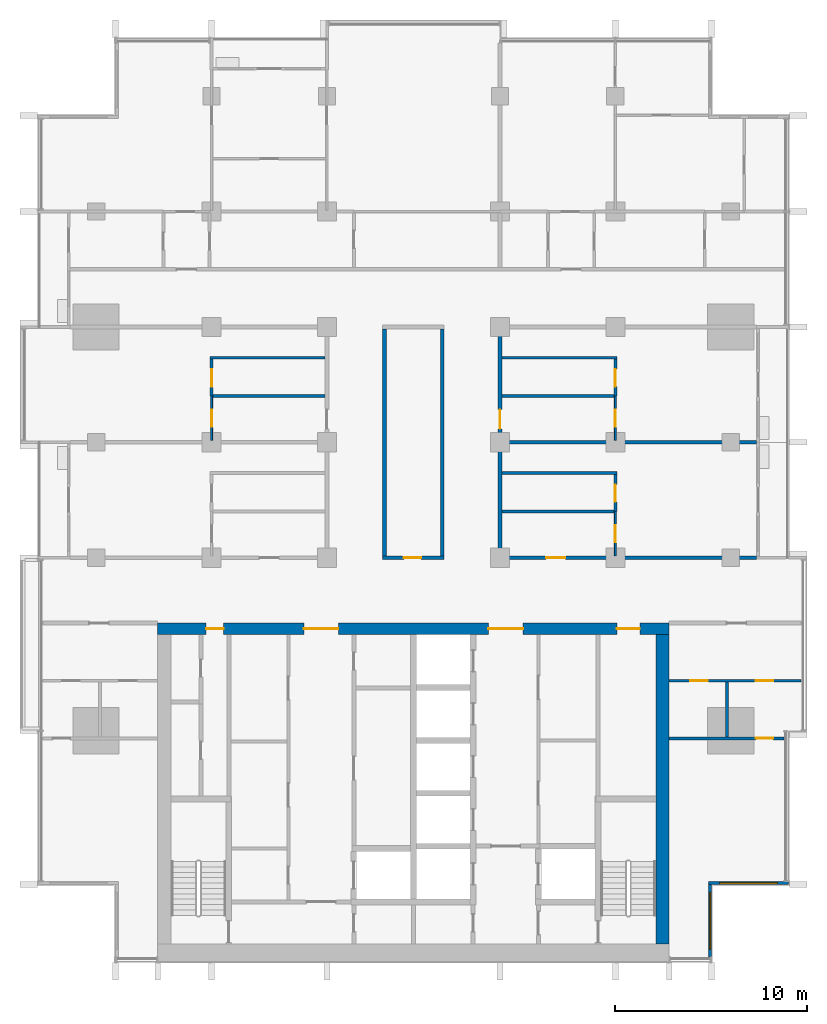
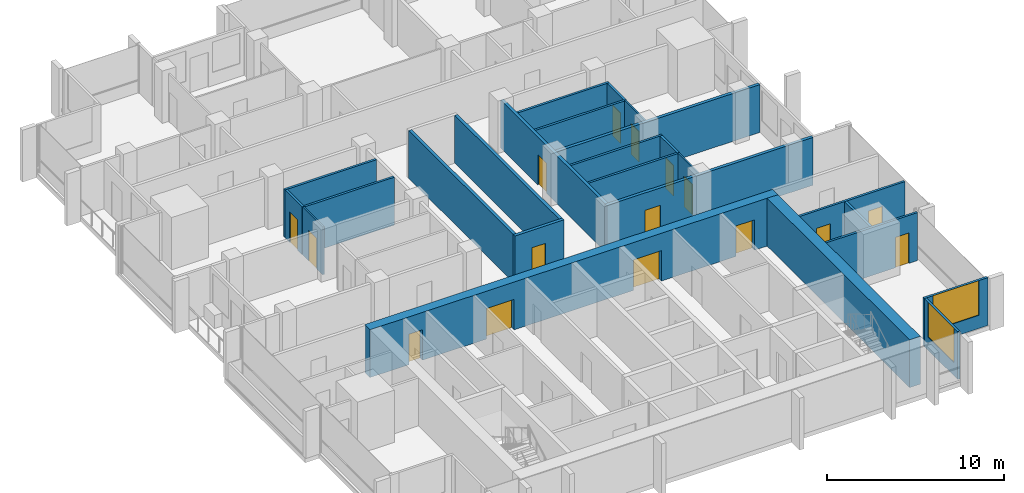
# One storey, part 9 of 17: 25 walls, 16 doors, 2 windows, 18 openings.
"""IFC4 building model written with IfcOpenShell, lengths in metres."""

from ifc_helpers import new_model, si_unit, direction, frame, frame_2d, origin, place, context, subcontext, project, spatial, rectangle, extrude, material, layer, layer_set, type_object, element, fill, save


model = new_model("IFC4")

# Units and contexts
model_context = context("Model", 3, precision=1e-05, world=origin(), true_north=direction((0.0, 1.0)))
body_context = subcontext(model_context, "Body", "Model", "MODEL_VIEW")
ifc_project = project(units=[si_unit("LENGTHUNIT", "METRE"), si_unit("AREAUNIT", "SQUARE_METRE"), si_unit("VOLUMEUNIT", "CUBIC_METRE"), si_unit("PLANEANGLEUNIT", "RADIAN"), si_unit("MASSUNIT", "GRAM", prefix="KILO")], contexts=[model_context])

# Site, building, storey
site_placement = place(None, origin())
site = spatial("IfcSite", under=ifc_project, at=site_placement, CompositionType="ELEMENT")
building_placement = place(site_placement, origin())
building = spatial("IfcBuilding", under=site, at=building_placement, Name="Finial Court Residences", CompositionType="ELEMENT")
storey_placement = place(building_placement, frame((0.0, 0.0, 167.300048828125)))
storey = spatial("IfcBuildingStorey", under=building, at=storey_placement, Name="L41", CompositionType="ELEMENT", Elevation=167.300048828125)

# Wall
ifc_material_1 = material(Name="Gypsum board")
ifc_layer_1 = layer(ifc_material_1, 0.02490234375)
ifc_material_2 = material(Name="Acoustic mineral wool in double frame")
ifc_layer_2 = layer(ifc_material_2, 0.14990234375)
ifc_layer_3 = layer(ifc_material_1, 0.02490234375)
ifc_layer_set_1 = layer_set([ifc_layer_1, ifc_layer_2, ifc_layer_3], Name="Acoustic party wall 200, 1 hour")
wall_type_1 = type_object("IfcWallType", Name="Acoustic party wall 200, 1 hour", PredefinedType="PARTITIONING", material=ifc_layer_set_1)
wall_1_placement = place(storey_placement, frame((4.60009765625, 1.5, 0.0), z_axis=(0.0, 0.0, 1.0), x_axis=(1.0, 0.0, 0.0)))
element("IfcWall", 1, at=wall_1_placement, inside=storey, type_object=wall_type_1, Name="Partition L41-014", PredefinedType="PARTITIONING", context=body_context, shape_type="SweptSolid", body=[
    extrude(rectangle(XDim=13.25, YDim=0.199951171875, at=frame_2d((6.625, 0.0))), origin(), (0.0, 0.0, 1.0), 3.300048828125),
])

# Wall, openings, doors
ifc_material_3 = material(Name="Concrete C70/85", Category="concrete")
ifc_layer_4 = layer(ifc_material_3, 0.60009765625)
ifc_layer_set_2 = layer_set([ifc_layer_4], Name="Core outer wall 600 Concrete C70/85")
wall_type_2 = type_object("IfcWallType", Name="Core outer wall 600 Concrete C70/85", PredefinedType="SHEAR", material=ifc_layer_set_2)
wall_2_placement = place(storey_placement, frame((-13.300048828125, -8.199951171875, 0.0), z_axis=(0.0, 0.0, 1.0), x_axis=(1.0, 0.0, 0.0)))
wall_2 = element("IfcWall", 2, at=wall_2_placement, inside=storey, type_object=wall_type_2, Name="Core outer wall L41-02", PredefinedType="SHEAR", context=body_context, shape_type="SweptSolid", body=[
    extrude(rectangle(XDim=26.60009765625, YDim=0.60009765625, at=frame_2d((13.300048828125, 0.0))), origin(), (0.0, 0.0, 1.0), 3.300048828125),
])
opening_1_placement = place(wall_2_placement, frame((7.60009765625, 0.0, 0.0)))
opening_1 = element("IfcOpeningElement", 3, at=opening_1_placement, cuts=wall_2, Name="Opening L41-C04", PredefinedType="OPENING", context=body_context, shape_type="SweptSolid", body=[
    extrude(rectangle(XDim=1.800048828125, YDim=2.10009765625, at=frame_2d((0.89990234375, 1.050048828125))), frame((0.0, 0.31005859375, 0.0), z_axis=(0.0, -1.0, 0.0), x_axis=(1.0, 0.0, 0.0)), (0.0, 0.0, 1.0), 0.6201171875),
])
opening_2_placement = place(wall_2_placement, frame((17.199951171875, 0.0, 0.0)))
opening_2 = element("IfcOpeningElement", 4, at=opening_2_placement, cuts=wall_2, Name="Opening L41-C05", PredefinedType="OPENING", context=body_context, shape_type="SweptSolid", body=[
    extrude(rectangle(XDim=1.800048828125, YDim=2.10009765625, at=frame_2d((0.89990234375, 1.050048828125))), frame((0.0, 0.31005859375, 0.0), z_axis=(0.0, -1.0, 0.0), x_axis=(1.0, 0.0, 0.0)), (0.0, 0.0, 1.0), 0.6201171875),
])
opening_3_placement = place(wall_2_placement, frame((2.52490234375, 0.0, 0.0)))
opening_3 = element("IfcOpeningElement", 5, at=opening_3_placement, cuts=wall_2, Name="Opening L41-C10", PredefinedType="OPENING", context=body_context, shape_type="SweptSolid", body=[
    extrude(rectangle(XDim=0.89990234375, YDim=2.10009765625, at=frame_2d((0.449951171875, 1.050048828125))), frame((0.0, 0.31005859375, 0.0), z_axis=(0.0, -1.0, 0.0), x_axis=(1.0, 0.0, 0.0)), (0.0, 0.0, 1.0), 0.6201171875),
])
opening_4_placement = place(wall_2_placement, frame((23.875, 0.0, 0.0)))
opening_4 = element("IfcOpeningElement", 6, at=opening_4_placement, cuts=wall_2, Name="Opening L41-C11", PredefinedType="OPENING", context=body_context, shape_type="SweptSolid", body=[
    extrude(rectangle(XDim=1.199951171875, YDim=2.10009765625, at=frame_2d((0.60009765625, 1.050048828125))), frame((0.0, 0.31005859375, 0.0), z_axis=(0.0, -1.0, 0.0), x_axis=(1.0, 0.0, 0.0)), (0.0, 0.0, 1.0), 0.6201171875),
])
ifc_material_4 = material(Name="Steel fire door", Category="steel")
door_type_1 = type_object("IfcDoorType", Name="Lift lobby door 1800 x 2100 EI 60", OperationType="DOUBLE_DOOR_SINGLE_SWING", PredefinedType="DOOR", material=ifc_material_4)
door_1_placement = place(opening_1_placement, origin())
door_1 = element("IfcDoor", 7, at=door_1_placement, inside=storey, type_object=door_type_1, Name="Lift lobby door L41-C04", OperationType="DOUBLE_DOOR_SINGLE_SWING", OverallHeight=2.10009765625, OverallWidth=1.800048828125, PredefinedType="DOOR", context=body_context, shape_type="SweptSolid", body=[
    extrude(rectangle(XDim=1.800048828125, YDim=2.10009765625, at=frame_2d((0.89990234375, 1.050048828125))), frame((0.0, 0.02490234375, 0.0), z_axis=(0.0, -1.0, 0.0), x_axis=(1.0, 0.0, 0.0)), (0.0, 0.0, 1.0), 0.050048828125),
])
fill(opening_1, door_1)
door_2_placement = place(opening_2_placement, origin())
door_2 = element("IfcDoor", 8, at=door_2_placement, inside=storey, type_object=door_type_1, Name="Lift lobby door L41-C05", OperationType="DOUBLE_DOOR_SINGLE_SWING", OverallHeight=2.10009765625, OverallWidth=1.800048828125, PredefinedType="DOOR", context=body_context, shape_type="SweptSolid", body=[
    extrude(rectangle(XDim=1.800048828125, YDim=2.10009765625, at=frame_2d((0.89990234375, 1.050048828125))), frame((0.0, 0.02490234375, 0.0), z_axis=(0.0, -1.0, 0.0), x_axis=(1.0, 0.0, 0.0)), (0.0, 0.0, 1.0), 0.050048828125),
])
fill(opening_2, door_2)
door_type_2 = type_object("IfcDoorType", Name="Riser room door 1200 x 2100 EI 90", OperationType="NOTDEFINED", PredefinedType="DOOR", material=ifc_material_4)
door_3_placement = place(opening_4_placement, origin())
door_3 = element("IfcDoor", 9, at=door_3_placement, inside=storey, type_object=door_type_2, Name="Riser room door L41-C11", OperationType="SINGLE_SWING_RIGHT", OverallHeight=2.10009765625, OverallWidth=1.199951171875, PredefinedType="DOOR", context=body_context, shape_type="SweptSolid", body=[
    extrude(rectangle(XDim=1.199951171875, YDim=2.10009765625, at=frame_2d((0.60009765625, 1.050048828125))), frame((0.0, 0.02490234375, 0.0), z_axis=(0.0, -1.0, 0.0), x_axis=(1.0, 0.0, 0.0)), (0.0, 0.0, 1.0), 0.050048828125),
])
fill(opening_4, door_3)
door_type_3 = type_object("IfcDoorType", Name="Riser room door 900 x 2100 EI 90", OperationType="NOTDEFINED", PredefinedType="DOOR", material=ifc_material_4)
door_4_placement = place(opening_3_placement, origin())
door_4 = element("IfcDoor", 10, at=door_4_placement, inside=storey, type_object=door_type_3, Name="Riser room door L41-C10", OperationType="SINGLE_SWING_RIGHT", OverallHeight=2.10009765625, OverallWidth=0.89990234375, PredefinedType="DOOR", context=body_context, shape_type="SweptSolid", body=[
    extrude(rectangle(XDim=0.89990234375, YDim=2.10009765625, at=frame_2d((0.449951171875, 1.050048828125))), frame((0.0, 0.02490234375, 0.0), z_axis=(0.0, -1.0, 0.0), x_axis=(1.0, 0.0, 0.0)), (0.0, 0.0, 1.0), 0.050048828125),
])
fill(opening_3, door_4)

# Wall
ifc_layer_5 = layer(ifc_material_3, 0.699951171875)
ifc_layer_set_3 = layer_set([ifc_layer_5], Name="Core outer wall 700 Concrete C70/85")
wall_type_3 = type_object("IfcWallType", Name="Core outer wall 700 Concrete C70/85", PredefinedType="SHEAR", material=ifc_layer_set_3)
wall_3_placement = place(storey_placement, frame((12.949951171875, -24.60009765625, 0.0), z_axis=(0.0, 0.0, 1.0), x_axis=(0.0, 1.0, 0.0)))
element("IfcWall", 11, at=wall_3_placement, inside=storey, type_object=wall_type_3, Name="Core outer wall L41-04", PredefinedType="SHEAR", context=body_context, shape_type="SweptSolid", body=[
    extrude(rectangle(XDim=16.10009765625, YDim=0.699951171875, at=frame_2d((8.050048828125, 0.0))), origin(), (0.0, 0.0, 1.0), 3.300048828125),
])

# Wall, opening, door
ifc_layer_6 = layer(ifc_material_1, 0.02490234375)
ifc_layer_7 = layer(ifc_material_2, 0.14990234375)
ifc_layer_8 = layer(ifc_material_1, 0.02490234375)
ifc_layer_set_4 = layer_set([ifc_layer_6, ifc_layer_7, ifc_layer_8], Name="Corridor wall 200, 1 hour")
wall_type_4 = type_object("IfcWallType", Name="Corridor wall 200, 1 hour", PredefinedType="PARTITIONING", material=ifc_layer_set_4)
wall_4_placement = place(storey_placement, frame((-1.60009765625, -4.5, 0.0), z_axis=(0.0, 0.0, 1.0), x_axis=(1.0, 0.0, 0.0)))
wall_4 = element("IfcWall", 12, at=wall_4_placement, inside=storey, type_object=wall_type_4, Name="Partition L41-007", PredefinedType="PARTITIONING", context=body_context, shape_type="SweptSolid", body=[
    extrude(rectangle(XDim=3.2001953125, YDim=0.199951171875, at=frame_2d((1.60009765625, 0.0))), origin(), (0.0, 0.0, 1.0), 3.300048828125),
])
opening_5_placement = place(wall_4_placement, frame((1.10009765625, 0.0, 0.0)))
opening_5 = element("IfcOpeningElement", 13, at=opening_5_placement, cuts=wall_4, Name="Opening L41-D010", PredefinedType="OPENING", context=body_context, shape_type="SweptSolid", body=[
    extrude(rectangle(XDim=0.89990234375, YDim=2.10009765625, at=frame_2d((0.449951171875, 1.050048828125))), frame((0.0, 0.10986328125, 0.0), z_axis=(0.0, -1.0, 0.0), x_axis=(1.0, 0.0, 0.0)), (0.0, 0.0, 1.0), 0.219970703125),
])
ifc_material_5 = material(Name="Timber door leaf in hollow metal frame", Category="wood")
door_type_4 = type_object("IfcDoorType", Name="Fire door set 900 x 2100, 30 minutes", OperationType="SINGLE_SWING_LEFT", PredefinedType="DOOR", material=ifc_material_5)
door_5_placement = place(opening_5_placement, origin())
door_5 = element("IfcDoor", 14, at=door_5_placement, inside=storey, type_object=door_type_4, Name="Door L41-D010", OperationType="SINGLE_SWING_RIGHT", OverallHeight=2.10009765625, OverallWidth=0.89990234375, PredefinedType="DOOR", context=body_context, shape_type="SweptSolid", body=[
    extrude(rectangle(XDim=0.89990234375, YDim=2.10009765625, at=frame_2d((0.449951171875, 1.050048828125))), frame((0.0, 0.02490234375, 0.0), z_axis=(0.0, -1.0, 0.0), x_axis=(1.0, 0.0, 0.0)), (0.0, 0.0, 1.0), 0.050048828125),
])
fill(opening_5, door_5)

wall_5_placement = place(storey_placement, frame((4.39990234375, -4.5, 0.0), z_axis=(0.0, 0.0, 1.0), x_axis=(1.0, 0.0, 0.0)))
wall_5 = element("IfcWall", 15, at=wall_5_placement, inside=storey, type_object=wall_type_4, Name="Partition L41-008", PredefinedType="PARTITIONING", context=body_context, shape_type="SweptSolid", body=[
    extrude(rectangle(XDim=13.4501953125, YDim=0.199951171875, at=frame_2d((6.72509765625, 0.0))), origin(), (0.0, 0.0, 1.0), 3.300048828125),
])
opening_6_placement = place(wall_5_placement, frame((2.5, 0.0, 0.0)))
opening_6 = element("IfcOpeningElement", 16, at=opening_6_placement, cuts=wall_5, Name="Opening L41-D011", PredefinedType="OPENING", context=body_context, shape_type="SweptSolid", body=[
    extrude(rectangle(XDim=1.0, YDim=2.10009765625, at=frame_2d((0.5, 1.050048828125))), frame((0.0, 0.10986328125, 0.0), z_axis=(0.0, -1.0, 0.0), x_axis=(1.0, 0.0, 0.0)), (0.0, 0.0, 1.0), 0.219970703125),
])
door_type_5 = type_object("IfcDoorType", Name="Fire door set 1000 x 2100, 30 minutes", OperationType="SINGLE_SWING_LEFT", PredefinedType="DOOR", material=ifc_material_5)
door_6_placement = place(opening_6_placement, origin())
door_6 = element("IfcDoor", 17, at=door_6_placement, inside=storey, type_object=door_type_5, Name="Door L41-D011", OperationType="SINGLE_SWING_RIGHT", OverallHeight=2.10009765625, OverallWidth=1.0, PredefinedType="DOOR", context=body_context, shape_type="SweptSolid", body=[
    extrude(rectangle(XDim=1.0, YDim=2.10009765625, at=frame_2d((0.5, 1.050048828125))), frame((0.0, 0.02490234375, 0.0), z_axis=(0.0, -1.0, 0.0), x_axis=(1.0, 0.0, 0.0)), (0.0, 0.0, 1.0), 0.050048828125),
])
fill(opening_6, door_6)

# Walls
for number, where, z_axis, x_axis, name in (
    (18, (-1.5, -4.39990234375, 0.0), (0.0, 0.0, 1.0), (0.0, 1.0, 0.0), "Partition L41-045"),
    (19, (1.5, -4.39990234375, 0.0), (0.0, 0.0, 1.0), (0.0, 1.0, 0.0), "Partition L41-046"),
):
    element("IfcWall", number, at=place(storey_placement, frame(where, z_axis=z_axis, x_axis=x_axis)), inside=storey, type_object=wall_type_4, Name=name, PredefinedType="PARTITIONING", context=body_context, shape_type="SweptSolid", body=[
        extrude(rectangle(XDim=11.7998046875, YDim=0.199951171875, at=frame_2d((5.89990234375, 0.0))), origin(), (0.0, 0.0, 1.0), 3.300048828125),
    ])

# Wall, opening, door
wall_6_placement = place(storey_placement, frame((4.5, -4.39990234375, 0.0), z_axis=(0.0, 0.0, 1.0), x_axis=(0.0, 1.0, 0.0)))
wall_6 = element("IfcWall", 20, at=wall_6_placement, inside=storey, type_object=wall_type_4, Name="Partition L41-047", PredefinedType="PARTITIONING", context=body_context, shape_type="SweptSolid", body=[
    extrude(rectangle(XDim=11.7998046875, YDim=0.199951171875, at=frame_2d((5.89990234375, 0.0))), origin(), (0.0, 0.0, 1.0), 3.300048828125),
])
opening_7_placement = place(wall_6_placement, frame((6.60009765625, 0.0, 0.0)))
opening_7 = element("IfcOpeningElement", 21, at=opening_7_placement, cuts=wall_6, Name="Opening L41-D028", PredefinedType="OPENING", context=body_context, shape_type="SweptSolid", body=[
    extrude(rectangle(XDim=1.0, YDim=2.10009765625, at=frame_2d((0.5, 1.050048828125))), frame((0.0, 0.10986328125, 0.0), z_axis=(0.0, -1.0, 0.0), x_axis=(1.0, 0.0, 0.0)), (0.0, 0.0, 1.0), 0.219970703125),
])
door_7_placement = place(opening_7_placement, origin())
door_7 = element("IfcDoor", 22, at=door_7_placement, inside=storey, type_object=door_type_5, Name="Door L41-D028", OperationType="SINGLE_SWING_RIGHT", OverallHeight=2.10009765625, OverallWidth=1.0, PredefinedType="DOOR", context=body_context, shape_type="SweptSolid", body=[
    extrude(rectangle(XDim=1.0, YDim=2.10009765625, at=frame_2d((0.5, 1.050048828125))), frame((0.0, 0.02490234375, 0.0), z_axis=(0.0, -1.0, 0.0), x_axis=(1.0, 0.0, 0.0)), (0.0, 0.0, 1.0), 0.050048828125),
])
fill(opening_7, door_7)

ifc_layer_9 = layer(ifc_material_1, 0.012451171875)
ifc_material_6 = material(Name="Mineral wool in light-gauge frame")
ifc_layer_10 = layer(ifc_material_6, 0.074951171875)
ifc_layer_11 = layer(ifc_material_1, 0.012451171875)
ifc_layer_set_5 = layer_set([ifc_layer_9, ifc_layer_10, ifc_layer_11], Name="Gypsum board partition 100")
wall_type_5 = type_object("IfcWallType", Name="Gypsum board partition 100", PredefinedType="PARTITIONING", material=ifc_layer_set_5)
wall_7_placement = place(storey_placement, frame((-10.5, 1.60009765625, 0.0), z_axis=(0.0, 0.0, 1.0), x_axis=(0.0, 1.0, 0.0)))
wall_7 = element("IfcWall", 23, at=wall_7_placement, inside=storey, type_object=wall_type_5, Name="Partition L41-038", PredefinedType="PARTITIONING", context=body_context, shape_type="SweptSolid", body=[
    extrude(rectangle(XDim=2.2998046875, YDim=0.10009765625, at=frame_2d((1.14990234375, 0.0))), origin(), (0.0, 0.0, 1.0), 3.300048828125),
])
opening_8_placement = place(wall_7_placement, frame((0.699951171875, 0.0, 0.0)))
opening_8 = element("IfcOpeningElement", 24, at=opening_8_placement, cuts=wall_7, Name="Opening L41-D021", PredefinedType="OPENING", context=body_context, shape_type="SweptSolid", body=[
    extrude(rectangle(XDim=0.89990234375, YDim=2.10009765625, at=frame_2d((0.449951171875, 1.050048828125))), frame((0.0, 0.06005859375, 0.0), z_axis=(0.0, -1.0, 0.0), x_axis=(1.0, 0.0, 0.0)), (0.0, 0.0, 1.0), 0.1201171875),
])
ifc_material_7 = material(Name="Timber door leaf in timber frame", Category="wood")
door_type_6 = type_object("IfcDoorType", Name="Door set 900 x 2100", OperationType="SINGLE_SWING_LEFT", PredefinedType="DOOR", material=ifc_material_7)
door_8_placement = place(opening_8_placement, origin())
door_8 = element("IfcDoor", 25, at=door_8_placement, inside=storey, type_object=door_type_6, Name="Door L41-D021", OperationType="SINGLE_SWING_LEFT", OverallHeight=2.10009765625, OverallWidth=0.89990234375, PredefinedType="DOOR", context=body_context, shape_type="SweptSolid", body=[
    extrude(rectangle(XDim=0.89990234375, YDim=2.10009765625, at=frame_2d((0.449951171875, 1.050048828125))), frame((0.0, 0.02490234375, 0.0), z_axis=(0.0, -1.0, 0.0), x_axis=(1.0, 0.0, 0.0)), (0.0, 0.0, 1.0), 0.050048828125),
])
fill(opening_8, door_8)

wall_8_placement = place(storey_placement, frame((10.5, -4.39990234375, 0.0), z_axis=(0.0, 0.0, 1.0), x_axis=(0.0, 1.0, 0.0)))
wall_8 = element("IfcWall", 26, at=wall_8_placement, inside=storey, type_object=wall_type_5, Name="Partition L41-052", PredefinedType="PARTITIONING", context=body_context, shape_type="SweptSolid", body=[
    extrude(rectangle(XDim=2.2998046875, YDim=0.10009765625, at=frame_2d((1.14990234375, 0.0))), origin(), (0.0, 0.0, 1.0), 3.300048828125),
])
opening_9_placement = place(wall_8_placement, frame((0.699951171875, 0.0, 0.0)))
opening_9 = element("IfcOpeningElement", 27, at=opening_9_placement, cuts=wall_8, Name="Opening L41-D031", PredefinedType="OPENING", context=body_context, shape_type="SweptSolid", body=[
    extrude(rectangle(XDim=0.89990234375, YDim=2.10009765625, at=frame_2d((0.449951171875, 1.050048828125))), frame((0.0, 0.06005859375, 0.0), z_axis=(0.0, -1.0, 0.0), x_axis=(1.0, 0.0, 0.0)), (0.0, 0.0, 1.0), 0.1201171875),
])
door_9_placement = place(opening_9_placement, origin())
door_9 = element("IfcDoor", 28, at=door_9_placement, inside=storey, type_object=door_type_6, Name="Door L41-D031", OperationType="SINGLE_SWING_LEFT", OverallHeight=2.10009765625, OverallWidth=0.89990234375, PredefinedType="DOOR", context=body_context, shape_type="SweptSolid", body=[
    extrude(rectangle(XDim=0.89990234375, YDim=2.10009765625, at=frame_2d((0.449951171875, 1.050048828125))), frame((0.0, 0.02490234375, 0.0), z_axis=(0.0, -1.0, 0.0), x_axis=(1.0, 0.0, 0.0)), (0.0, 0.0, 1.0), 0.050048828125),
])
fill(opening_9, door_9)

wall_9_placement = place(storey_placement, frame((10.5, 1.60009765625, 0.0), z_axis=(0.0, 0.0, 1.0), x_axis=(0.0, 1.0, 0.0)))
wall_9 = element("IfcWall", 29, at=wall_9_placement, inside=storey, type_object=wall_type_5, Name="Partition L41-053", PredefinedType="PARTITIONING", context=body_context, shape_type="SweptSolid", body=[
    extrude(rectangle(XDim=2.2998046875, YDim=0.10009765625, at=frame_2d((1.14990234375, 0.0))), origin(), (0.0, 0.0, 1.0), 3.300048828125),
])
opening_10_placement = place(wall_9_placement, frame((0.699951171875, 0.0, 0.0)))
opening_10 = element("IfcOpeningElement", 30, at=opening_10_placement, cuts=wall_9, Name="Opening L41-D032", PredefinedType="OPENING", context=body_context, shape_type="SweptSolid", body=[
    extrude(rectangle(XDim=0.89990234375, YDim=2.10009765625, at=frame_2d((0.449951171875, 1.050048828125))), frame((0.0, 0.06005859375, 0.0), z_axis=(0.0, -1.0, 0.0), x_axis=(1.0, 0.0, 0.0)), (0.0, 0.0, 1.0), 0.1201171875),
])
door_10_placement = place(opening_10_placement, origin())
door_10 = element("IfcDoor", 31, at=door_10_placement, inside=storey, type_object=door_type_6, Name="Door L41-D032", OperationType="SINGLE_SWING_RIGHT", OverallHeight=2.10009765625, OverallWidth=0.89990234375, PredefinedType="DOOR", context=body_context, shape_type="SweptSolid", body=[
    extrude(rectangle(XDim=0.89990234375, YDim=2.10009765625, at=frame_2d((0.449951171875, 1.050048828125))), frame((0.0, 0.02490234375, 0.0), z_axis=(0.0, -1.0, 0.0), x_axis=(1.0, 0.0, 0.0)), (0.0, 0.0, 1.0), 0.050048828125),
])
fill(opening_10, door_10)

ifc_material_8 = material(Name="Moisture-resistant gypsum board")
ifc_layer_12 = layer(ifc_material_8, 0.012451171875)
ifc_layer_13 = layer(ifc_material_6, 0.125)
ifc_layer_14 = layer(ifc_material_8, 0.012451171875)
ifc_layer_set_6 = layer_set([ifc_layer_12, ifc_layer_13, ifc_layer_14], Name="Gypsum board wet-area partition 150")
wall_type_6 = type_object("IfcWallType", Name="Gypsum board wet-area partition 150", PredefinedType="PARTITIONING", material=ifc_layer_set_6)
wall_10_placement = place(storey_placement, frame((13.300048828125, -13.89990234375, 0.0), z_axis=(0.0, 0.0, 1.0), x_axis=(1.0, 0.0, 0.0)))
wall_10 = element("IfcWall", 32, at=wall_10_placement, inside=storey, type_object=wall_type_6, Name="Partition L41-001", PredefinedType="PARTITIONING", context=body_context, shape_type="SweptSolid", body=[
    extrude(rectangle(XDim=5.96240234375, YDim=0.14990234375, at=frame_2d((2.981201171875, 0.0))), origin(), (0.0, 0.0, 1.0), 3.300048828125),
])
opening_11_placement = place(wall_10_placement, frame((4.5, 0.0, 0.0)))
opening_11 = element("IfcOpeningElement", 33, at=opening_11_placement, cuts=wall_10, Name="Opening L41-D002", PredefinedType="OPENING", context=body_context, shape_type="SweptSolid", body=[
    extrude(rectangle(XDim=0.89990234375, YDim=2.10009765625, at=frame_2d((0.449951171875, 1.050048828125))), frame((0.0, 0.0849609375, 0.0), z_axis=(0.0, -1.0, 0.0), x_axis=(1.0, 0.0, 0.0)), (0.0, 0.0, 1.0), 0.169921875),
])
door_11_placement = place(opening_11_placement, origin())
door_11 = element("IfcDoor", 34, at=door_11_placement, inside=storey, type_object=door_type_6, Name="Door L41-D002", OperationType="SINGLE_SWING_RIGHT", OverallHeight=2.10009765625, OverallWidth=0.89990234375, PredefinedType="DOOR", context=body_context, shape_type="SweptSolid", body=[
    extrude(rectangle(XDim=0.89990234375, YDim=2.10009765625, at=frame_2d((0.449951171875, 1.050048828125))), frame((0.0, 0.02490234375, 0.0), z_axis=(0.0, -1.0, 0.0), x_axis=(1.0, 0.0, 0.0)), (0.0, 0.0, 1.0), 0.050048828125),
])
fill(opening_11, door_11)

# Wall, openings, doors
wall_11_placement = place(storey_placement, frame((13.300048828125, -10.89990234375, 0.0), z_axis=(0.0, 0.0, 1.0), x_axis=(1.0, 0.0, 0.0)))
wall_11 = element("IfcWall", 35, at=wall_11_placement, inside=storey, type_object=wall_type_6, Name="Partition L41-003", PredefinedType="PARTITIONING", context=body_context, shape_type="SweptSolid", body=[
    extrude(rectangle(XDim=6.862548828125, YDim=0.14990234375, at=frame_2d((3.43115234375, 0.0))), origin(), (0.0, 0.0, 1.0), 3.300048828125),
])
opening_12_placement = place(wall_11_placement, frame((1.10009765625, 0.0, 0.0)))
opening_12 = element("IfcOpeningElement", 36, at=opening_12_placement, cuts=wall_11, Name="Opening L41-D005", PredefinedType="OPENING", context=body_context, shape_type="SweptSolid", body=[
    extrude(rectangle(XDim=0.89990234375, YDim=2.10009765625, at=frame_2d((0.449951171875, 1.050048828125))), frame((0.0, 0.0849609375, 0.0), z_axis=(0.0, -1.0, 0.0), x_axis=(1.0, 0.0, 0.0)), (0.0, 0.0, 1.0), 0.169921875),
])
opening_13_placement = place(wall_11_placement, frame((4.5, 0.0, 0.0)))
opening_13 = element("IfcOpeningElement", 37, at=opening_13_placement, cuts=wall_11, Name="Opening L41-D006", PredefinedType="OPENING", context=body_context, shape_type="SweptSolid", body=[
    extrude(rectangle(XDim=0.89990234375, YDim=2.10009765625, at=frame_2d((0.449951171875, 1.050048828125))), frame((0.0, 0.0849609375, 0.0), z_axis=(0.0, -1.0, 0.0), x_axis=(1.0, 0.0, 0.0)), (0.0, 0.0, 1.0), 0.169921875),
])
door_12_placement = place(opening_12_placement, origin())
door_12 = element("IfcDoor", 38, at=door_12_placement, inside=storey, type_object=door_type_6, Name="Door L41-D005", OperationType="SINGLE_SWING_LEFT", OverallHeight=2.10009765625, OverallWidth=0.89990234375, PredefinedType="DOOR", context=body_context, shape_type="SweptSolid", body=[
    extrude(rectangle(XDim=0.89990234375, YDim=2.10009765625, at=frame_2d((0.449951171875, 1.050048828125))), frame((0.0, 0.02490234375, 0.0), z_axis=(0.0, -1.0, 0.0), x_axis=(1.0, 0.0, 0.0)), (0.0, 0.0, 1.0), 0.050048828125),
])
fill(opening_12, door_12)
door_13_placement = place(opening_13_placement, origin())
door_13 = element("IfcDoor", 39, at=door_13_placement, inside=storey, type_object=door_type_6, Name="Door L41-D006", OperationType="SINGLE_SWING_RIGHT", OverallHeight=2.10009765625, OverallWidth=0.89990234375, PredefinedType="DOOR", context=body_context, shape_type="SweptSolid", body=[
    extrude(rectangle(XDim=0.89990234375, YDim=2.10009765625, at=frame_2d((0.449951171875, 1.050048828125))), frame((0.0, 0.02490234375, 0.0), z_axis=(0.0, -1.0, 0.0), x_axis=(1.0, 0.0, 0.0)), (0.0, 0.0, 1.0), 0.050048828125),
])
fill(opening_13, door_13)

# Walls
wall_12_placement = place(storey_placement, frame((4.60009765625, -2.10009765625, 0.0), z_axis=(0.0, 0.0, 1.0), x_axis=(1.0, 0.0, 0.0)))
element("IfcWall", 40, at=wall_12_placement, inside=storey, type_object=wall_type_6, Name="Partition L41-010", PredefinedType="PARTITIONING", context=body_context, shape_type="SweptSolid", body=[
    extrude(rectangle(XDim=5.824951171875, YDim=0.14990234375, at=frame_2d((2.91259765625, 0.0))), origin(), (0.0, 0.0, 1.0), 3.300048828125),
])
wall_13_placement = place(storey_placement, frame((4.60009765625, -0.10009765625, 0.0), z_axis=(0.0, 0.0, 1.0), x_axis=(1.0, 0.0, 0.0)))
element("IfcWall", 41, at=wall_13_placement, inside=storey, type_object=wall_type_6, Name="Partition L41-012", PredefinedType="PARTITIONING", context=body_context, shape_type="SweptSolid", body=[
    extrude(rectangle(XDim=5.974853515625, YDim=0.14990234375, at=frame_2d((2.9873046875, 0.0))), origin(), (0.0, 0.0, 1.0), 3.300048828125),
])
for number, where, z_axis, x_axis, name in (
    (42, (-10.425048828125, 3.89990234375, 0.0), (0.0, 0.0, 1.0), (1.0, 0.0, 0.0), "Partition L41-015"),
    (43, (4.60009765625, 3.89990234375, 0.0), (0.0, 0.0, 1.0), (1.0, 0.0, 0.0), "Partition L41-016"),
):
    element("IfcWall", number, at=place(storey_placement, frame(where, z_axis=z_axis, x_axis=x_axis)), inside=storey, type_object=wall_type_6, Name=name, PredefinedType="PARTITIONING", context=body_context, shape_type="SweptSolid", body=[
        extrude(rectangle(XDim=5.824951171875, YDim=0.14990234375, at=frame_2d((2.91259765625, 0.0))), origin(), (0.0, 0.0, 1.0), 3.300048828125),
    ])
for number, where, z_axis, x_axis, name in (
    (44, (-10.574951171875, 5.89990234375, 0.0), (0.0, 0.0, 1.0), (1.0, 0.0, 0.0), "Partition L41-017"),
    (45, (4.60009765625, 5.89990234375, 0.0), (0.0, 0.0, 1.0), (1.0, 0.0, 0.0), "Partition L41-018"),
):
    element("IfcWall", number, at=place(storey_placement, frame(where, z_axis=z_axis, x_axis=x_axis)), inside=storey, type_object=wall_type_6, Name=name, PredefinedType="PARTITIONING", context=body_context, shape_type="SweptSolid", body=[
        extrude(rectangle(XDim=5.974853515625, YDim=0.14990234375, at=frame_2d((2.9873046875, 0.0))), origin(), (0.0, 0.0, 1.0), 3.300048828125),
    ])

# Wall, opening, door
wall_14_placement = place(storey_placement, frame((-10.5, 3.89990234375, 0.0), z_axis=(0.0, 0.0, 1.0), x_axis=(0.0, 1.0, 0.0)))
wall_14 = element("IfcWall", 46, at=wall_14_placement, inside=storey, type_object=wall_type_6, Name="Partition L41-041", PredefinedType="PARTITIONING", context=body_context, shape_type="SweptSolid", body=[
    extrude(rectangle(XDim=1.925048828125, YDim=0.14990234375, at=frame_2d((0.96240234375, 0.0))), origin(), (0.0, 0.0, 1.0), 3.300048828125),
])
opening_14_placement = place(wall_14_placement, frame((0.5, 0.0, 0.0)))
opening_14 = element("IfcOpeningElement", 47, at=opening_14_placement, cuts=wall_14, Name="Opening L41-D024", PredefinedType="OPENING", context=body_context, shape_type="SweptSolid", body=[
    extrude(rectangle(XDim=0.89990234375, YDim=2.10009765625, at=frame_2d((0.449951171875, 1.050048828125))), frame((0.0, 0.0849609375, 0.0), z_axis=(0.0, -1.0, 0.0), x_axis=(1.0, 0.0, 0.0)), (0.0, 0.0, 1.0), 0.169921875),
])
door_14_placement = place(opening_14_placement, origin())
door_14 = element("IfcDoor", 48, at=door_14_placement, inside=storey, type_object=door_type_6, Name="Door L41-D024", OperationType="SINGLE_SWING_LEFT", OverallHeight=2.10009765625, OverallWidth=0.89990234375, PredefinedType="DOOR", context=body_context, shape_type="SweptSolid", body=[
    extrude(rectangle(XDim=0.89990234375, YDim=2.10009765625, at=frame_2d((0.449951171875, 1.050048828125))), frame((0.0, 0.02490234375, 0.0), z_axis=(0.0, -1.0, 0.0), x_axis=(1.0, 0.0, 0.0)), (0.0, 0.0, 1.0), 0.050048828125),
])
fill(opening_14, door_14)

wall_15_placement = place(storey_placement, frame((10.5, -2.10009765625, 0.0), z_axis=(0.0, 0.0, 1.0), x_axis=(0.0, 1.0, 0.0)))
wall_15 = element("IfcWall", 49, at=wall_15_placement, inside=storey, type_object=wall_type_6, Name="Partition L41-055", PredefinedType="PARTITIONING", context=body_context, shape_type="SweptSolid", body=[
    extrude(rectangle(XDim=1.925048828125, YDim=0.14990234375, at=frame_2d((0.96240234375, 0.0))), origin(), (0.0, 0.0, 1.0), 3.300048828125),
])
opening_15_placement = place(wall_15_placement, frame((0.5, 0.0, 0.0)))
opening_15 = element("IfcOpeningElement", 50, at=opening_15_placement, cuts=wall_15, Name="Opening L41-D034", PredefinedType="OPENING", context=body_context, shape_type="SweptSolid", body=[
    extrude(rectangle(XDim=0.89990234375, YDim=2.10009765625, at=frame_2d((0.449951171875, 1.050048828125))), frame((0.0, 0.0849609375, 0.0), z_axis=(0.0, -1.0, 0.0), x_axis=(1.0, 0.0, 0.0)), (0.0, 0.0, 1.0), 0.169921875),
])
door_15_placement = place(opening_15_placement, origin())
door_15 = element("IfcDoor", 51, at=door_15_placement, inside=storey, type_object=door_type_6, Name="Door L41-D034", OperationType="SINGLE_SWING_RIGHT", OverallHeight=2.10009765625, OverallWidth=0.89990234375, PredefinedType="DOOR", context=body_context, shape_type="SweptSolid", body=[
    extrude(rectangle(XDim=0.89990234375, YDim=2.10009765625, at=frame_2d((0.449951171875, 1.050048828125))), frame((0.0, 0.02490234375, 0.0), z_axis=(0.0, -1.0, 0.0), x_axis=(1.0, 0.0, 0.0)), (0.0, 0.0, 1.0), 0.050048828125),
])
fill(opening_15, door_15)

wall_16_placement = place(storey_placement, frame((10.5, 3.89990234375, 0.0), z_axis=(0.0, 0.0, 1.0), x_axis=(0.0, 1.0, 0.0)))
wall_16 = element("IfcWall", 52, at=wall_16_placement, inside=storey, type_object=wall_type_6, Name="Partition L41-056", PredefinedType="PARTITIONING", context=body_context, shape_type="SweptSolid", body=[
    extrude(rectangle(XDim=1.925048828125, YDim=0.14990234375, at=frame_2d((0.96240234375, 0.0))), origin(), (0.0, 0.0, 1.0), 3.300048828125),
])
opening_16_placement = place(wall_16_placement, frame((0.5, 0.0, 0.0)))
opening_16 = element("IfcOpeningElement", 53, at=opening_16_placement, cuts=wall_16, Name="Opening L41-D035", PredefinedType="OPENING", context=body_context, shape_type="SweptSolid", body=[
    extrude(rectangle(XDim=0.89990234375, YDim=2.10009765625, at=frame_2d((0.449951171875, 1.050048828125))), frame((0.0, 0.0849609375, 0.0), z_axis=(0.0, -1.0, 0.0), x_axis=(1.0, 0.0, 0.0)), (0.0, 0.0, 1.0), 0.169921875),
])
door_16_placement = place(opening_16_placement, origin())
door_16 = element("IfcDoor", 54, at=door_16_placement, inside=storey, type_object=door_type_6, Name="Door L41-D035", OperationType="SINGLE_SWING_RIGHT", OverallHeight=2.10009765625, OverallWidth=0.89990234375, PredefinedType="DOOR", context=body_context, shape_type="SweptSolid", body=[
    extrude(rectangle(XDim=0.89990234375, YDim=2.10009765625, at=frame_2d((0.449951171875, 1.050048828125))), frame((0.0, 0.02490234375, 0.0), z_axis=(0.0, -1.0, 0.0), x_axis=(1.0, 0.0, 0.0)), (0.0, 0.0, 1.0), 0.050048828125),
])
fill(opening_16, door_16)

# Wall
wall_17_placement = place(storey_placement, frame((16.300048828125, -13.824951171875, 0.0), z_axis=(0.0, 0.0, 1.0), x_axis=(0.0, 1.0, 0.0)))
element("IfcWall", 55, at=wall_17_placement, inside=storey, type_object=wall_type_6, Name="Partition L41-058", PredefinedType="PARTITIONING", context=body_context, shape_type="SweptSolid", body=[
    extrude(rectangle(XDim=2.849853515625, YDim=0.14990234375, at=frame_2d((1.4248046875, 0.0))), origin(), (0.0, 0.0, 1.0), 3.300048828125),
])

# Wall, opening, window
ifc_material_9 = material(Name="Natural limestone", Category="masonry")
ifc_layer_15 = layer(ifc_material_9, 0.14990234375)
ifc_layer_set_7 = layer_set([ifc_layer_15], Name="Limestone clad wall 150")
wall_type_7 = type_object("IfcWallType", Name="Limestone clad wall 150", PredefinedType="SOLIDWALL", material=ifc_layer_set_7)
wall_18_placement = place(storey_placement, frame((15.425048828125, -21.5, 0.0), z_axis=(0.0, 0.0, 1.0), x_axis=(0.0, -1.0, 0.0)))
wall_18 = element("IfcWall", 56, at=wall_18_placement, inside=storey, type_object=wall_type_7, Name="E-L41-NWE14", PredefinedType="SOLIDWALL", context=body_context, shape_type="SweptSolid", body=[
    extrude(rectangle(XDim=3.762451171875, YDim=0.14990234375, at=frame_2d((1.88134765625, 0.0))), origin(), (0.0, 0.0, 1.0), 3.300048828125),
])
opening_17_placement = place(wall_18_placement, frame((0.4013671875, 0.0, 0.89990234375)))
opening_17 = element("IfcOpeningElement", 57, at=opening_17_placement, cuts=wall_18, Name="Opening WE41-03", PredefinedType="OPENING", context=body_context, shape_type="SweptSolid", body=[
    extrude(rectangle(XDim=2.9599609375, YDim=2.39990234375, at=frame_2d((1.47998046875, 1.199951171875))), frame((0.0, 0.0849609375, 0.0), z_axis=(0.0, -1.0, 0.0), x_axis=(1.0, 0.0, 0.0)), (0.0, 0.0, 1.0), 0.169921875),
])
ifc_material_10 = material(Name="Clear low-e glass", Category="glass")
window_type_1 = type_object("IfcWindowType", Name="Corner window 2960 x 2400", PartitioningType="SINGLE_PANEL", PredefinedType="WINDOW", material=ifc_material_10)
window_1_placement = place(opening_17_placement, origin())
window_1 = element("IfcWindow", 58, at=window_1_placement, inside=storey, type_object=window_type_1, Name="E-L41-NWE14-W1", OverallHeight=2.39990234375, OverallWidth=2.9599609375, PartitioningType="SINGLE_PANEL", PredefinedType="WINDOW", context=body_context, shape_type="SweptSolid", body=[
    extrude(rectangle(XDim=2.9599609375, YDim=2.39990234375, at=frame_2d((1.47998046875, 1.199951171875))), frame((0.0, 0.030029296875, 0.0), z_axis=(0.0, -1.0, 0.0), x_axis=(1.0, 0.0, 0.0)), (0.0, 0.0, 1.0), 0.06005859375),
])
fill(opening_17, window_1)

wall_19_placement = place(storey_placement, frame((19.5, -21.425048828125, 0.0), z_axis=(0.0, 0.0, 1.0), x_axis=(-1.0, 0.0, 0.0)))
wall_19 = element("IfcWall", 59, at=wall_19_placement, inside=storey, type_object=wall_type_7, Name="E-L41-NWS15", PredefinedType="SOLIDWALL", context=body_context, shape_type="SweptSolid", body=[
    extrude(rectangle(XDim=4.14990234375, YDim=0.14990234375, at=frame_2d((2.074951171875, 0.0))), origin(), (0.0, 0.0, 1.0), 3.300048828125),
])
opening_18_placement = place(wall_19_placement, frame((0.574951171875, 0.0, 0.89990234375)))
opening_18 = element("IfcOpeningElement", 60, at=opening_18_placement, cuts=wall_19, Name="Opening WE41-04", PredefinedType="OPENING", context=body_context, shape_type="SweptSolid", body=[
    extrude(rectangle(XDim=3.0, YDim=2.39990234375, at=frame_2d((1.5, 1.199951171875))), frame((0.0, 0.0849609375, 0.0), z_axis=(0.0, -1.0, 0.0), x_axis=(1.0, 0.0, 0.0)), (0.0, 0.0, 1.0), 0.169921875),
])
window_type_2 = type_object("IfcWindowType", Name="Corner window 3000 x 2400", PartitioningType="SINGLE_PANEL", PredefinedType="WINDOW", material=ifc_material_10)
window_2_placement = place(opening_18_placement, origin())
window_2 = element("IfcWindow", 61, at=window_2_placement, inside=storey, type_object=window_type_2, Name="E-L41-NWS15-W1", OverallHeight=2.39990234375, OverallWidth=3.0, PartitioningType="SINGLE_PANEL", PredefinedType="WINDOW", context=body_context, shape_type="SweptSolid", body=[
    extrude(rectangle(XDim=3.0, YDim=2.39990234375, at=frame_2d((1.5, 1.199951171875))), frame((0.0, 0.030029296875, 0.0), z_axis=(0.0, -1.0, 0.0), x_axis=(1.0, 0.0, 0.0)), (0.0, 0.0, 1.0), 0.06005859375),
])
fill(opening_18, window_2)

save(model, "model.ifc")
